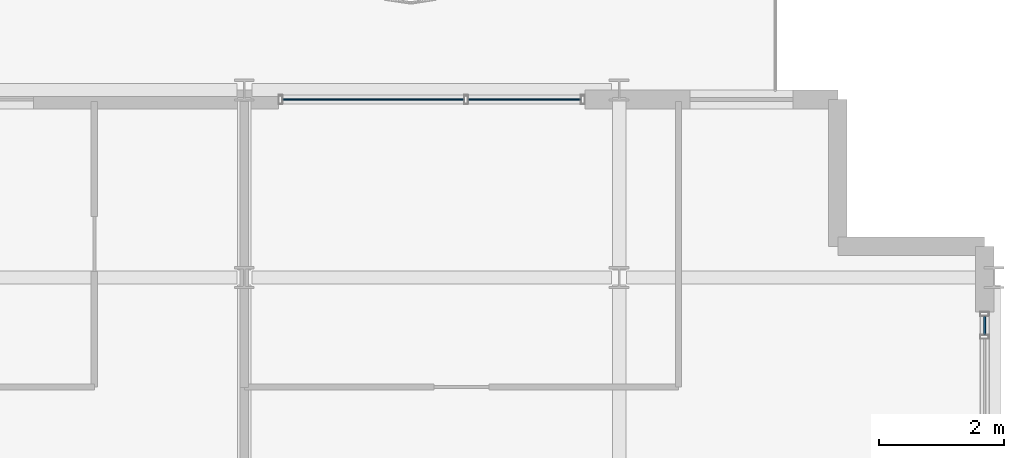
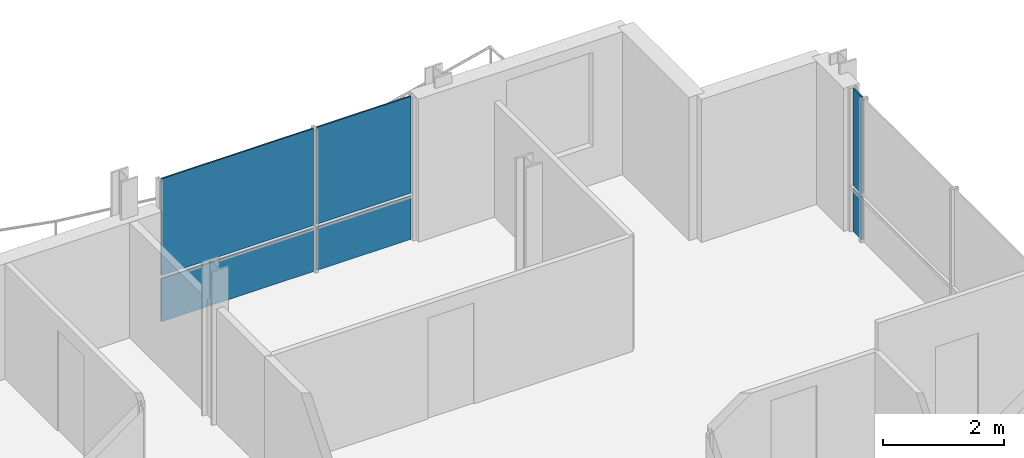
# One storey, part 12 of 17: 6 plates, 2 elements without a shape of their own.
"""IFC4 building model written with IfcOpenShell, lengths in metres."""

import ifcopenshell
import ifcopenshell.guid

model = None  # the IFC model being written
_history = None  # IfcOwnerHistory: only IFC2X3 demands one
_inside = {}  # id of a spatial element -> (the spatial element, [elements in it])
_under = {}  # id of a project, library or spatial element -> (it, [spatial elements below it])
_declared = {}  # id of a project -> (the project, [libraries it declares])
_typed = {}  # id of a type object -> (the type object, [elements of that type])
_made_of = {}  # id of a material, layer set ... -> (it, [elements and type objects made of it])


def new_model(schema):
    """Start an empty IFC model of exactly this schema.

    Asked for "IFC4X3", IfcOpenShell would pick the latest addendum, in which some entities
    have other attributes; the version numbers below select the first issue.
    IFC2X3 requires an IfcOwnerHistory on every rooted entity: one is made here for all.
    """
    global model, _history
    if schema == "IFC4X3":
        model = ifcopenshell.file(schema_version=(4, 3, 0, 0))
    else:
        model = ifcopenshell.file(schema=schema)
    _inside.clear()
    _under.clear()
    _declared.clear()
    _typed.clear()
    _made_of.clear()
    _history = None
    if model.schema == "IFC2X3":
        org = make("IfcOrganization", Name="unknown")
        user = make(
            "IfcPersonAndOrganization",
            ThePerson=make("IfcPerson", FamilyName="unknown"),
            TheOrganization=org,
        )
        app = make(
            "IfcApplication",
            ApplicationDeveloper=org,
            Version="unknown",
            ApplicationFullName="unknown",
            ApplicationIdentifier="unknown",
        )
        _history = make(
            "IfcOwnerHistory",
            OwningUser=user,
            OwningApplication=app,
            ChangeAction="ADDED",
            CreationDate=0,
        )
    return model


def make(cls, **values):
    """One entity of the class cls with the attributes given. An attribute that is None is left unset."""
    return model.create_entity(
        cls, **{name: value for name, value in values.items() if value is not None}
    )


def rooted(cls, **values):
    """An entity with a GlobalId (a new one), such as an element, a storey or a relation."""
    return make(cls, GlobalId=ifcopenshell.guid.new(), OwnerHistory=_history, **values)


def si_unit(unit_type, name, prefix=None):
    """IfcSIUnit, for example si_unit("LENGTHUNIT", "METRE", prefix="MILLI")."""
    return make("IfcSIUnit", UnitType=unit_type, Prefix=prefix, Name=name)


def assignment(units):
    """IfcUnitAssignment: the units of a project."""
    return None if units is None else make("IfcUnitAssignment", Units=units)


def point(xyz):
    """IfcCartesianPoint."""
    return None if xyz is None else make("IfcCartesianPoint", Coordinates=xyz)


def direction(xyz):
    """IfcDirection."""
    return None if xyz is None else make("IfcDirection", DirectionRatios=xyz)


def frame(location, z_axis=None, x_axis=None):
    """IfcAxis2Placement3D, a coordinate frame: its origin and axes. An axis left out is left unset."""
    return make(
        "IfcAxis2Placement3D",
        Location=point(location),
        Axis=direction(z_axis),
        RefDirection=direction(x_axis),
    )


def frame_2d(location, x_axis=None):
    """IfcAxis2Placement2D, a coordinate frame in the plane: its origin and x axis."""
    return make(
        "IfcAxis2Placement2D", Location=point(location), RefDirection=direction(x_axis)
    )


def origin():
    """The frame at (0, 0, 0) with its axes left unset."""
    return frame((0.0, 0.0, 0.0))


def origin_2d():
    """The frame at (0, 0) in the plane with its x axis left unset."""
    return frame_2d((0.0, 0.0))


def place(relative_to, where):
    """IfcLocalPlacement: puts the frame where relative to a parent placement (None: the world)."""
    return make(
        "IfcLocalPlacement", PlacementRelTo=relative_to, RelativePlacement=where
    )


def context(
    kind, dimensions, precision=None, world=None, true_north=None, identifier=None
):
    """IfcGeometricRepresentationContext, for example the 3D "Model" context."""
    return make(
        "IfcGeometricRepresentationContext",
        ContextIdentifier=identifier,
        ContextType=kind,
        CoordinateSpaceDimension=dimensions,
        Precision=precision,
        WorldCoordinateSystem=world,
        TrueNorth=true_north,
    )


def subcontext(parent, identifier, kind, view, scale=None):
    """IfcGeometricRepresentationSubContext, for example "Body" below "Model"."""
    return make(
        "IfcGeometricRepresentationSubContext",
        ContextIdentifier=identifier,
        ContextType=kind,
        ParentContext=parent,
        TargetScale=scale,
        TargetView=view,
    )


def project(units=None, contexts=None):
    """IfcProject with its units and contexts."""
    return rooted(
        "IfcProject",
        Name="project",
        RepresentationContexts=contexts,
        UnitsInContext=assignment(units),
    )


def spatial(cls, under=None, at=None, **own):
    """A site, building, storey or space (cls), placed at a placement, below another one or the project."""
    s = rooted(cls, ObjectPlacement=at, **own)
    if under is not None:
        _under.setdefault(under.id(), (under, []))[1].append(s)
    return s


def profile(cls, at=None, kind="AREA", **sizes):
    """A parametric profile (cls). Its sizes go by their IFC names, for example OverallWidth=200.0."""
    return make(cls, ProfileType=kind, Position=at, **sizes)


def rectangle(**sizes):
    """IfcRectangleProfileDef."""
    return profile("IfcRectangleProfileDef", **sizes)


def extrude(swept, where, along, depth):
    """IfcExtrudedAreaSolid: the profile swept, set in the frame where, extruded along a direction by depth."""
    return make(
        "IfcExtrudedAreaSolid",
        SweptArea=swept,
        Position=where,
        ExtrudedDirection=direction(along),
        Depth=depth,
    )


def shape(context_of_items, identifier, shape_type, items):
    """IfcShapeRepresentation: the items that make up one representation, for example the "Body"."""
    return make(
        "IfcShapeRepresentation",
        ContextOfItems=context_of_items,
        RepresentationIdentifier=identifier,
        RepresentationType=shape_type,
        Items=items,
    )


def material(Name=None, Category=None):
    """IfcMaterial."""
    return make("IfcMaterial", Name=Name, Category=Category)


def layer(
    of_material, thickness, ventilated=None, Name=None, Category=None, Priority=None
):
    """IfcMaterialLayer: one layer of a wall or slab, of a material (None: an air gap)."""
    return make(
        "IfcMaterialLayer",
        Material=of_material,
        LayerThickness=thickness,
        IsVentilated=ventilated,
        Name=Name,
        Category=Category,
        Priority=Priority,
    )


def layer_set(layers, Name=None):
    """IfcMaterialLayerSet."""
    return make("IfcMaterialLayerSet", MaterialLayers=layers, LayerSetName=Name)


def made_of(thing, what):
    """Note that an element or type object is made of a material, layer set ...; save() writes the relation."""
    if what is not None:
        _made_of.setdefault(what.id(), (what, []))[1].append(thing)
    return thing


def type_object(cls, material=None, **own):
    """A type object (cls), such as IfcWallType, which elements share."""
    return made_of(rooted(cls, **own), material)


def element(
    cls,
    number,
    at=None,
    inside=None,
    cuts=None,
    type_object=None,
    material=None,
    context=None,
    identifier="Body",
    shape_type=None,
    held_by="IfcProductDefinitionShape",
    body=None,
    shapes=None,
    **own,
):
    """One element of the class cls, such as IfcWall. Its Tag is "e" and its number.

    at: its placement. inside: the storey or other place that contains it. cuts: it is an
    opening in that element (IfcRelVoidsElement). A single representation is given by context,
    identifier, shape_type and body (its items); several are given by shapes. held_by: the class
    of the entity that holds the representations. save() writes the other relations.
    """
    e = rooted(cls, Tag="e%d" % number, ObjectPlacement=at, **own)
    if body is not None:
        shapes = [shape(context, identifier, shape_type, body)]
    if shapes is not None:
        e.Representation = make(held_by, Representations=shapes)
    if inside is not None:
        _inside.setdefault(inside.id(), (inside, []))[1].append(e)
    if cuts is not None:
        rooted(
            "IfcRelVoidsElement", RelatingBuildingElement=cuts, RelatedOpeningElement=e
        )
    if type_object is not None:
        _typed.setdefault(type_object.id(), (type_object, []))[1].append(e)
    return made_of(e, material)


def aggregate(whole, parts):
    """IfcRelAggregates: a whole, such as a stair, and the parts it consists of."""
    return rooted("IfcRelAggregates", RelatingObject=whole, RelatedObjects=parts)


def save(model, path):
    """Write the relations noted so far, then the file.

    IfcRelAggregates (storeys below a building ...), IfcRelContainedInSpatialStructure (elements
    in a storey), IfcRelDefinesByType, IfcRelAssociatesMaterial and IfcRelDeclares: one each for
    every whole, place, type object, material and project.
    """
    for whole, parts in _under.values():
        aggregate(whole, parts)
    for where, things in _inside.values():
        rooted(
            "IfcRelContainedInSpatialStructure",
            RelatedElements=things,
            RelatingStructure=where,
        )
    for kind, things in _typed.values():
        rooted("IfcRelDefinesByType", RelatedObjects=things, RelatingType=kind)
    for what, things in _made_of.values():
        rooted("IfcRelAssociatesMaterial", RelatedObjects=things, RelatingMaterial=what)
    for by, libraries in _declared.values():
        rooted("IfcRelDeclares", RelatingContext=by, RelatedDefinitions=libraries)
    model.write(path)


model = new_model("IFC4")

# Units and contexts
model_context = context("Model", 3, precision=1e-05, world=origin(), true_north=direction((0.0, 1.0)))
body_context = subcontext(model_context, "Body", "Model", "MODEL_VIEW")
ifc_project = project(units=[si_unit("LENGTHUNIT", "METRE"), si_unit("AREAUNIT", "SQUARE_METRE"), si_unit("VOLUMEUNIT", "CUBIC_METRE"), si_unit("PLANEANGLEUNIT", "RADIAN"), si_unit("MASSUNIT", "GRAM", prefix="KILO")], contexts=[model_context])

# Site, building, storey
site_placement = place(None, origin())
site = spatial("IfcSite", under=ifc_project, at=site_placement, CompositionType="ELEMENT")
building_placement = place(site_placement, origin())
building = spatial("IfcBuilding", under=site, at=building_placement, Name="Brevholm Reach", CompositionType="ELEMENT")
storey_placement = place(building_placement, frame((0.0, 0.0, 221.10009765625)))
storey = spatial("IfcBuildingStorey", under=building, at=storey_placement, Name="L67", CompositionType="ELEMENT", Elevation=221.10009765625)

# Curtain wall, plates
ifc_material_1 = material(Name="Dark Anodised Aluminium 6063-T6 and Solar-Control Glass", Category="aluminium")
ifc_layer_1 = layer(ifc_material_1, 0.14990234375)
ifc_layer_set_1 = layer_set([ifc_layer_1], Name="Dark Anodised Aluminium 6063-T6 and Solar-Control Glass")
curtain_wall_type = type_object("IfcCurtainWallType", Name="CW-01", PredefinedType="NOTDEFINED", material=ifc_layer_set_1)
curtain_wall_1_placement = place(storey_placement, origin())
curtain_wall_1 = element("IfcCurtainWall", 1, at=curtain_wall_1_placement, inside=storey, type_object=curtain_wall_type, Name="L67 Curtain Wall CW-01", PredefinedType="NOTDEFINED")
ifc_material_2 = material(Name="Dark Solar-Control Double-Glazed IGU Glass", Category="glass")
ifc_layer_2 = layer(ifc_material_2, 0.028076171875)
ifc_layer_set_2 = layer_set([ifc_layer_2], Name="Dark Solar-Control Double-Glazed IGU Glass")
plate_type = type_object("IfcPlateType", Name="CWP-GLZ-28", PredefinedType="CURTAIN_PANEL", material=ifc_layer_set_2)
plate_1_placement = place(storey_placement, frame((59.85009765625, 22.733642578125, 0.0), z_axis=(0.0, 0.0, 1.0), x_axis=(0.0, 1.0, 0.0)))
plate_1 = element("IfcPlate", 2, at=plate_1_placement, type_object=plate_type, Name="CP-01 Glazing Panel 5.1", PredefinedType="CURTAIN_PANEL", context=body_context, shape_type="SweptSolid", body=[
    extrude(rectangle(XDim=0.302490234375, YDim=0.028076171875, at=origin_2d()), origin(), (0.0, 0.0, 1.0), 0.867431640625),
])
plate_2_placement = place(storey_placement, frame((59.85009765625, 22.733642578125, 0.932373046875), z_axis=(0.0, 0.0, 1.0), x_axis=(0.0, 1.0, 0.0)))
plate_2 = element("IfcPlate", 3, at=plate_2_placement, type_object=plate_type, Name="CP-01 Glazing Panel 5.2", PredefinedType="CURTAIN_PANEL", context=body_context, shape_type="SweptSolid", body=[
    extrude(rectangle(XDim=0.302490234375, YDim=0.028076171875, at=origin_2d()), origin(), (0.0, 0.0, 1.0), 1.95751953125),
])
aggregate(curtain_wall_1, [plate_1, plate_2])

curtain_wall_2_placement = place(storey_placement, origin())
curtain_wall_2 = element("IfcCurtainWall", 4, at=curtain_wall_2_placement, inside=storey, type_object=curtain_wall_type, Name="L67 Curtain Wall CW-01", PredefinedType="NOTDEFINED")
plate_3_placement = place(storey_placement, frame((50.066162109375, 26.35009765625, 0.0), z_axis=(0.0, 0.0, 1.0), x_axis=(1.0, 0.0, 0.0)))
plate_3 = element("IfcPlate", 5, at=plate_3_placement, type_object=plate_type, Name="CP-01 Glazing Panel 1.1", PredefinedType="CURTAIN_PANEL", context=body_context, shape_type="SweptSolid", body=[
    extrude(rectangle(XDim=2.902587890625, YDim=0.028076171875, at=origin_2d()), origin(), (0.0, 0.0, 1.0), 0.867431640625),
])
plate_4_placement = place(storey_placement, frame((50.066162109375, 26.35009765625, 0.932373046875), z_axis=(0.0, 0.0, 1.0), x_axis=(1.0, 0.0, 0.0)))
plate_4 = element("IfcPlate", 6, at=plate_4_placement, type_object=plate_type, Name="CP-01 Glazing Panel 1.2", PredefinedType="CURTAIN_PANEL", context=body_context, shape_type="SweptSolid", body=[
    extrude(rectangle(XDim=2.902587890625, YDim=0.028076171875, at=origin_2d()), origin(), (0.0, 0.0, 1.0), 1.95751953125),
])
plate_5_placement = place(storey_placement, frame((52.483642578125, 26.35009765625, 0.0), z_axis=(0.0, 0.0, 1.0), x_axis=(1.0, 0.0, 0.0)))
plate_5 = element("IfcPlate", 7, at=plate_5_placement, type_object=plate_type, Name="CP-01 Glazing Panel 2.1", PredefinedType="CURTAIN_PANEL", context=body_context, shape_type="SweptSolid", body=[
    extrude(rectangle(XDim=1.802490234375, YDim=0.028076171875, at=origin_2d()), origin(), (0.0, 0.0, 1.0), 0.867431640625),
])
plate_6_placement = place(storey_placement, frame((52.483642578125, 26.35009765625, 0.932373046875), z_axis=(0.0, 0.0, 1.0), x_axis=(1.0, 0.0, 0.0)))
plate_6 = element("IfcPlate", 8, at=plate_6_placement, type_object=plate_type, Name="CP-01 Glazing Panel 2.2", PredefinedType="CURTAIN_PANEL", context=body_context, shape_type="SweptSolid", body=[
    extrude(rectangle(XDim=1.802490234375, YDim=0.028076171875, at=origin_2d()), origin(), (0.0, 0.0, 1.0), 1.95751953125),
])
aggregate(curtain_wall_2, [plate_3, plate_4, plate_5, plate_6])

save(model, "model.ifc")
